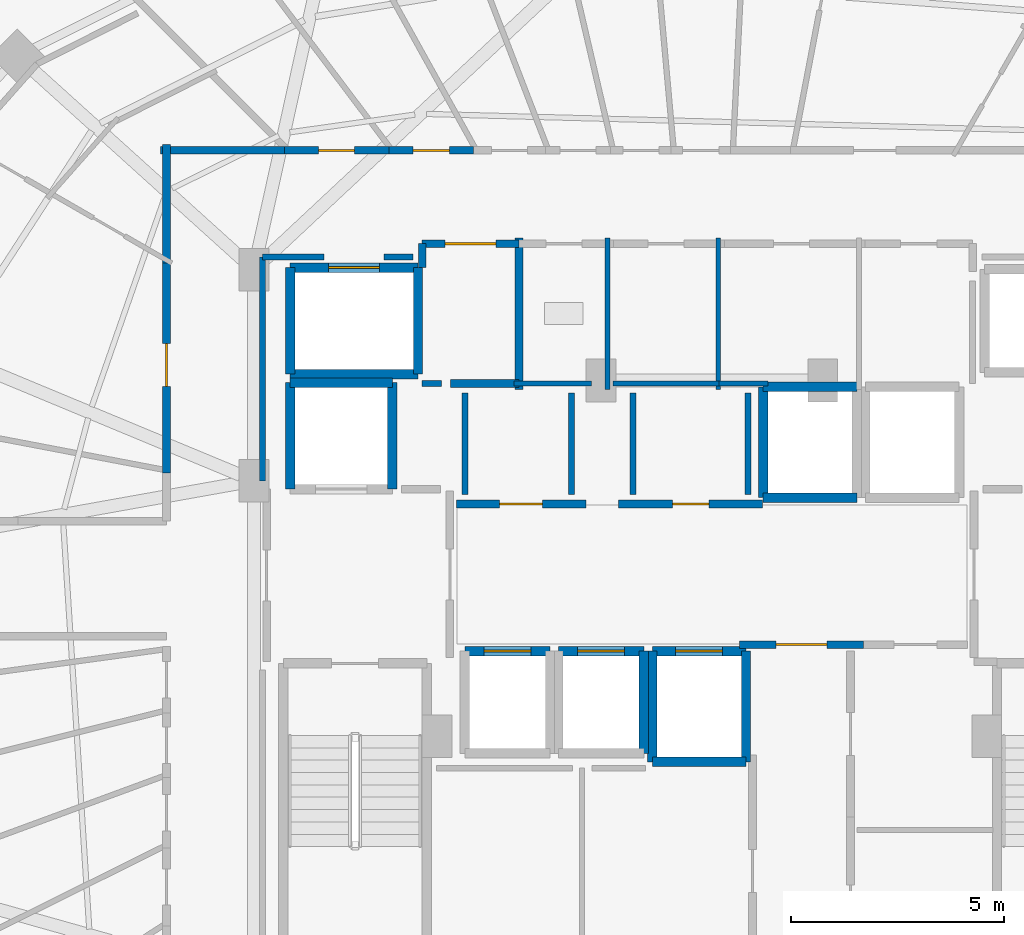
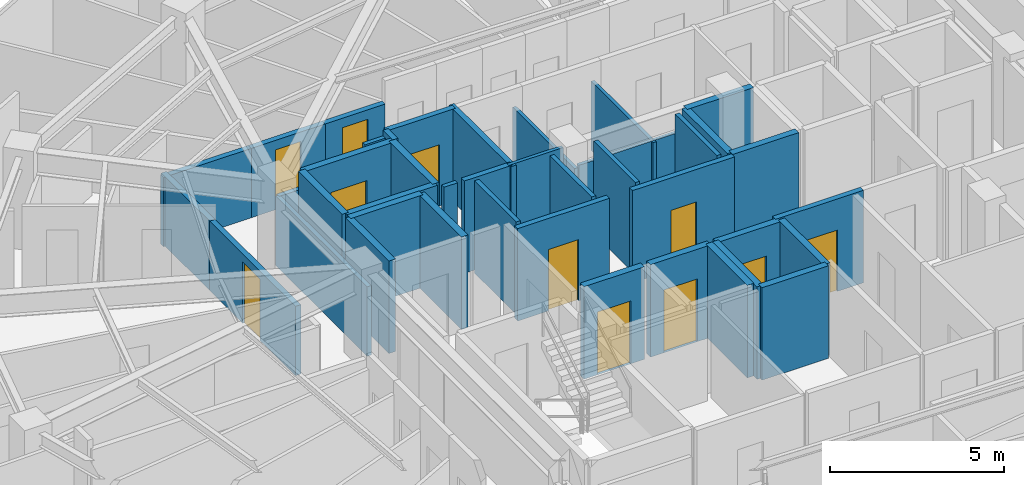
# One storey, part 26 of 33: 42 walls, 11 doors, 11 openings.
"""IFC4 building model written with IfcOpenShell, lengths in metres."""

from ifc_helpers import new_model, si_unit, direction, frame, frame_2d, origin, place, context, subcontext, project, spatial, rectangle, extrude, material, layer, layer_set, type_object, element, fill, save


model = new_model("IFC4")

# Units and contexts
model_context = context("Model", 3, precision=1e-05, world=origin(), true_north=direction((0.0, 1.0)))
body_context = subcontext(model_context, "Body", "Model", "MODEL_VIEW")
ifc_project = project(units=[si_unit("LENGTHUNIT", "METRE"), si_unit("AREAUNIT", "SQUARE_METRE"), si_unit("VOLUMEUNIT", "CUBIC_METRE"), si_unit("PLANEANGLEUNIT", "RADIAN"), si_unit("MASSUNIT", "GRAM", prefix="KILO")], contexts=[model_context])

# Site, building, storey
site_placement = place(None, origin())
site = spatial("IfcSite", under=ifc_project, at=site_placement, CompositionType="ELEMENT")
building_placement = place(site_placement, origin())
building = spatial("IfcBuilding", under=site, at=building_placement, Name="Vorneva Point Tower", CompositionType="ELEMENT")
storey_placement = place(building_placement, frame((0.0, 0.0, 189.60009765625)))
storey = spatial("IfcBuildingStorey", under=building, at=storey_placement, Name="L51", CompositionType="ELEMENT", Elevation=189.60009765625)

# Walls
ifc_material_1 = material(Name="Concrete B60 (C50/60)", Category="concrete")
ifc_layer_1 = layer(ifc_material_1, 0.35009765625)
ifc_layer_set_1 = layer_set([ifc_layer_1], Name="Concrete B60 (C50/60)")
wall_type_1 = type_object("IfcWallType", Name="WL-CORE-350", PredefinedType="SHEAR", material=ifc_layer_set_1)
wall_1_placement = place(storey_placement, frame((30.5, 28.0, 0.0), z_axis=(0.0, 0.0, 1.0), x_axis=(0.0, 1.0, 0.0)))
element("IfcWall", 1, at=wall_1_placement, inside=storey, type_object=wall_type_1, Name="L51 Lift FFL1 Shaft Wall +X", PredefinedType="SHEAR", context=body_context, shape_type="SweptSolid", body=[
    extrude(rectangle(XDim=2.5, YDim=0.219970703125, at=frame_2d((1.25, 0.0))), origin(), (0.0, 0.0, 1.0), 3.239990234375),
])
wall_2_placement = place(storey_placement, frame((30.5, 30.5, 0.0), z_axis=(0.0, 0.0, 1.0), x_axis=(-1.0, 0.0, 0.0)))
element("IfcWall", 2, at=wall_2_placement, inside=storey, type_object=wall_type_1, Name="L51 Lift FFL1 Shaft Wall +Y", PredefinedType="SHEAR", context=body_context, shape_type="SweptSolid", body=[
    extrude(rectangle(XDim=2.39990234375, YDim=0.219970703125, at=frame_2d((1.199951171875, 0.0))), origin(), (0.0, 0.0, 1.0), 3.239990234375),
])
wall_3_placement = place(storey_placement, frame((28.10009765625, 30.5, 0.0), z_axis=(0.0, 0.0, 1.0), x_axis=(0.0, -1.0, 0.0)))
element("IfcWall", 3, at=wall_3_placement, inside=storey, type_object=wall_type_1, Name="L51 Lift FFL1 Shaft Wall -X", PredefinedType="SHEAR", context=body_context, shape_type="SweptSolid", body=[
    extrude(rectangle(XDim=2.5, YDim=0.219970703125, at=frame_2d((1.25, 0.0))), origin(), (0.0, 0.0, 1.0), 3.239990234375),
])
ifc_material_2 = material(Name="Fire-rated acoustic gypsum stud partition", Category="gypsum")
ifc_layer_2 = layer(ifc_material_2, 0.110107421875)
ifc_layer_set_2 = layer_set([ifc_layer_2], Name="Fire-rated acoustic gypsum stud partition")
wall_type_2 = type_object("IfcWallType", Name="WL-PART-110", PredefinedType="PARTITIONING", material=ifc_layer_set_2)
wall_4_placement = place(storey_placement, frame((35.550048828125, 30.340087890625, 0.0), z_axis=(0.0, 0.0, 1.0), x_axis=(0.0, 1.0, 0.0)))
element("IfcWall", 4, at=wall_4_placement, inside=storey, type_object=wall_type_2, Name="L51 Interior Partition 020", PredefinedType="PARTITIONING", context=body_context, shape_type="SweptSolid", body=[
    extrude(rectangle(XDim=3.559814453125, YDim=0.110107421875, at=frame_2d((1.77978515625, 0.0))), origin(), (0.0, 0.0, 1.0), 2.431884765625),
])
wall_5_placement = place(storey_placement, frame((33.360107421875, 30.47998046875, 0.0), z_axis=(0.0, 0.0, 1.0), x_axis=(1.0, 0.0, 0.0)))
element("IfcWall", 5, at=wall_5_placement, inside=storey, type_object=wall_type_2, Name="L51 Interior Partition 021", PredefinedType="PARTITIONING", context=body_context, shape_type="SweptSolid", body=[
    extrude(rectangle(XDim=1.809814453125, YDim=0.110107421875, at=frame_2d((0.90478515625, 0.0))), origin(), (0.0, 0.0, 1.0), 3.239990234375),
])
wall_6_placement = place(storey_placement, frame((38.14990234375, 30.340087890625, 0.0), z_axis=(0.0, 0.0, 1.0), x_axis=(0.0, 1.0, 0.0)))
element("IfcWall", 6, at=wall_6_placement, inside=storey, type_object=wall_type_2, Name="L51 Interior Partition 023", PredefinedType="PARTITIONING", context=body_context, shape_type="SweptSolid", body=[
    extrude(rectangle(XDim=3.559814453125, YDim=0.110107421875, at=frame_2d((1.77978515625, 0.0))), origin(), (0.0, 0.0, 1.0), 2.431884765625),
])
wall_7_placement = place(storey_placement, frame((35.679931640625, 30.47998046875, 0.0), z_axis=(0.0, 0.0, 1.0), x_axis=(1.0, 0.0, 0.0)))
element("IfcWall", 7, at=wall_7_placement, inside=storey, type_object=wall_type_2, Name="L51 Interior Partition 024", PredefinedType="PARTITIONING", context=body_context, shape_type="SweptSolid", body=[
    extrude(rectangle(XDim=2.594970703125, YDim=0.110107421875, at=frame_2d((1.29736328125, 0.0))), origin(), (0.0, 0.0, 1.0), 2.431884765625),
])
wall_8_placement = place(storey_placement, frame((38.1650390625, 30.47998046875, 0.0), z_axis=(0.0, 0.0, 1.0), x_axis=(1.0, 0.0, 0.0)))
element("IfcWall", 8, at=wall_8_placement, inside=storey, type_object=wall_type_2, Name="L51 Interior Partition 027", PredefinedType="PARTITIONING", context=body_context, shape_type="SweptSolid", body=[
    extrude(rectangle(XDim=1.155029296875, YDim=0.110107421875, at=frame_2d((0.57763671875, 0.0))), origin(), (0.0, 0.0, 1.0), 2.431884765625),
])
ifc_layer_3 = layer(ifc_material_2, 0.139892578125)
ifc_layer_set_3 = layer_set([ifc_layer_3], Name="Fire-rated acoustic gypsum stud partition")
wall_type_3 = type_object("IfcWallType", Name="WL-PART-140", PredefinedType="PARTITIONING", material=ifc_layer_set_3)
wall_9_placement = place(storey_placement, frame((31.199951171875, 30.47998046875, 0.0), z_axis=(0.0, 0.0, 1.0), x_axis=(1.0, 0.0, 0.0)))
element("IfcWall", 9, at=wall_9_placement, inside=storey, type_object=wall_type_3, Name="L51 Interior Closure Partition 135", PredefinedType="PARTITIONING", context=body_context, shape_type="SweptSolid", body=[
    extrude(rectangle(XDim=0.449951171875, YDim=0.139892578125, at=frame_2d((0.22509765625, 0.0))), origin(), (0.0, 0.0, 1.0), 3.239990234375),
])
for number, where, z_axis, x_axis, name in (
    (10, (32.199951171875, 30.260009765625, 0.0), (0.0, 0.0, 1.0), (0.0, -1.0, 0.0), "L51 Interior Closure Partition 139"),
    (11, (34.699951171875, 27.8701171875, 0.0), (0.0, 0.0, 1.0), (0.0, 1.0, 0.0), "L51 Interior Closure Partition 140"),
    (12, (36.14990234375, 30.260009765625, 0.0), (0.0, 0.0, 1.0), (0.0, -1.0, 0.0), "L51 Interior Closure Partition 141"),
    (13, (38.85009765625, 27.8701171875, 0.0), (0.0, 0.0, 1.0), (0.0, 1.0, 0.0), "L51 Interior Closure Partition 142"),
):
    element("IfcWall", number, at=place(storey_placement, frame(where, z_axis=z_axis, x_axis=x_axis)), inside=storey, type_object=wall_type_3, Name=name, PredefinedType="PARTITIONING", context=body_context, shape_type="SweptSolid", body=[
        extrude(rectangle(XDim=2.389892578125, YDim=0.139892578125, at=frame_2d((1.19482421875, 0.0))), origin(), (0.0, 0.0, 1.0), 3.239990234375),
    ])
wall_10_placement = place(storey_placement, frame((30.97998046875, 33.449951171875, 0.0), z_axis=(0.0, 0.0, 1.0), x_axis=(-1.0, 0.0, 0.0)))
element("IfcWall", 14, at=wall_10_placement, inside=storey, type_object=wall_type_3, Name="L51 Interior Closure Partition 145", PredefinedType="PARTITIONING", context=body_context, shape_type="SweptSolid", body=[
    extrude(rectangle(XDim=0.674072265625, YDim=0.139892578125, at=frame_2d((0.3369140625, 0.0))), origin(), (0.0, 0.0, 1.0), 3.239990234375),
])
wall_11_placement = place(storey_placement, frame((28.89404296875, 33.449951171875, 0.0), z_axis=(0.0, 0.0, 1.0), x_axis=(-1.0, 0.0, 0.0)))
element("IfcWall", 15, at=wall_11_placement, inside=storey, type_object=wall_type_3, Name="L51 Interior Closure Partition 146", PredefinedType="PARTITIONING", context=body_context, shape_type="SweptSolid", body=[
    extrude(rectangle(XDim=1.444091796875, YDim=0.139892578125, at=frame_2d((0.72216796875, 0.0))), origin(), (0.0, 0.0, 1.0), 2.431884765625),
])
wall_12_placement = place(storey_placement, frame((27.449951171875, 33.449951171875, 0.0), z_axis=(0.0, 0.0, 1.0), x_axis=(0.0, -1.0, 0.0)))
element("IfcWall", 16, at=wall_12_placement, inside=storey, type_object=wall_type_3, Name="L51 Interior Closure Partition 147", PredefinedType="PARTITIONING", context=body_context, shape_type="SweptSolid", body=[
    extrude(rectangle(XDim=5.25390625, YDim=0.139892578125, at=frame_2d((2.626953125, 0.0))), origin(), (0.0, 0.0, 1.0), 2.431884765625),
])
ifc_material_3 = material(Name="Autoclaved aerated concrete blockwork", Category="masonry")
ifc_layer_4 = layer(ifc_material_3, 0.179931640625)
ifc_layer_set_4 = layer_set([ifc_layer_4], Name="Autoclaved aerated concrete blockwork")
wall_type_4 = type_object("IfcWallType", Name="WL-PART-180", PredefinedType="PARTITIONING", material=ifc_layer_set_4)
wall_13_placement = place(storey_placement, frame((33.469970703125, 30.340087890625, 0.0), z_axis=(0.0, 0.0, 1.0), x_axis=(0.0, 1.0, 0.0)))
element("IfcWall", 17, at=wall_13_placement, inside=storey, type_object=wall_type_4, Name="L51 Interior Partition 006", PredefinedType="PARTITIONING", context=body_context, shape_type="SweptSolid", body=[
    extrude(rectangle(XDim=3.559814453125, YDim=0.179931640625, at=frame_2d((1.77978515625, 0.0))), origin(), (0.0, 0.0, 1.0), 3.239990234375),
])
wall_14_placement = place(storey_placement, frame((31.8701171875, 30.47998046875, 0.0), z_axis=(0.0, 0.0, 1.0), x_axis=(1.0, 0.0, 0.0)))
element("IfcWall", 18, at=wall_14_placement, inside=storey, type_object=wall_type_4, Name="L51 Interior Partition 007", PredefinedType="PARTITIONING", context=body_context, shape_type="SweptSolid", body=[
    extrude(rectangle(XDim=1.599853515625, YDim=0.179931640625, at=frame_2d((0.7998046875, 0.0))), origin(), (0.0, 0.0, 1.0), 3.239990234375),
])

# Wall, opening, door
wall_15_placement = place(storey_placement, frame((33.469970703125, 33.760009765625, 0.0), z_axis=(0.0, 0.0, 1.0), x_axis=(-1.0, 0.0, 0.0)))
wall_15 = element("IfcWall", 19, at=wall_15_placement, inside=storey, type_object=wall_type_4, Name="L51 Interior Partition 008", PredefinedType="PARTITIONING", context=body_context, shape_type="SweptSolid", body=[
    extrude(rectangle(XDim=2.27001953125, YDim=0.179931640625, at=frame_2d((1.135009765625, 0.0))), origin(), (0.0, 0.0, 1.0), 3.239990234375),
])
opening_1_placement = place(wall_15_placement, frame((0.534912109375, 0.0, 0.0)))
opening_1 = element("IfcOpeningElement", 20, at=opening_1_placement, cuts=wall_15, Name="Opening FD-02", PredefinedType="OPENING", context=body_context, shape_type="SweptSolid", body=[
    extrude(rectangle(XDim=1.199951171875, YDim=2.14990234375, at=frame_2d((0.60009765625, 1.074951171875))), frame((0.0, 0.10498046875, 0.0), z_axis=(0.0, -1.0, 0.0), x_axis=(1.0, 0.0, 0.0)), (0.0, 0.0, 1.0), 0.209716796875),
])
ifc_material_4 = material(Name="Fire-rated powder-coated steel", Category="steel")
door_type_1 = type_object("IfcDoorType", Name="DR-FFL-1200", OperationType="NOTDEFINED", PredefinedType="DOOR", material=ifc_material_4)
door_1_placement = place(opening_1_placement, origin())
door_1 = element("IfcDoor", 21, at=door_1_placement, inside=storey, type_object=door_type_1, Name="L51 Door Service Lift Lobby / L51 Circulation Corridor", OperationType="SINGLE_SWING_RIGHT", OverallHeight=2.14990234375, OverallWidth=1.199951171875, PredefinedType="DOOR", context=body_context, shape_type="SweptSolid", body=[
    extrude(rectangle(XDim=1.199951171875, YDim=2.14990234375, at=frame_2d((0.60009765625, 1.074951171875))), frame((0.0, 0.02490234375, 0.0), z_axis=(0.0, -1.0, 0.0), x_axis=(1.0, 0.0, 0.0)), (0.0, 0.0, 1.0), 0.050048828125),
])
fill(opening_1, door_1)

# Wall
wall_16_placement = place(storey_placement, frame((31.199951171875, 33.760009765625, 0.0), z_axis=(0.0, 0.0, 1.0), x_axis=(0.0, -1.0, 0.0)))
element("IfcWall", 22, at=wall_16_placement, inside=storey, type_object=wall_type_4, Name="L51 Interior Partition 009", PredefinedType="PARTITIONING", context=body_context, shape_type="SweptSolid", body=[
    extrude(rectangle(XDim=0.56005859375, YDim=0.179931640625, at=frame_2d((0.280029296875, 0.0))), origin(), (0.0, 0.0, 1.0), 3.239990234375),
])

# Wall, opening, door
wall_17_placement = place(storey_placement, frame((38.64501953125, 24.35009765625, 0.0), z_axis=(0.0, 0.0, 1.0), x_axis=(1.0, 0.0, 0.0)))
wall_17 = element("IfcWall", 23, at=wall_17_placement, inside=storey, type_object=wall_type_4, Name="L51 Interior Partition 010", PredefinedType="PARTITIONING", context=body_context, shape_type="SweptSolid", body=[
    extrude(rectangle(XDim=2.909912109375, YDim=0.179931640625, at=frame_2d((1.455078125, 0.0))), origin(), (0.0, 0.0, 1.0), 3.239990234375),
])
opening_2_placement = place(wall_17_placement, frame((0.85498046875, 0.0, 0.0)))
opening_2 = element("IfcOpeningElement", 24, at=opening_2_placement, cuts=wall_17, Name="Opening FD-02", PredefinedType="OPENING", context=body_context, shape_type="SweptSolid", body=[
    extrude(rectangle(XDim=1.199951171875, YDim=2.14990234375, at=frame_2d((0.60009765625, 1.074951171875))), frame((0.0, 0.10498046875, 0.0), z_axis=(0.0, -1.0, 0.0), x_axis=(1.0, 0.0, 0.0)), (0.0, 0.0, 1.0), 0.209716796875),
])
door_2_placement = place(opening_2_placement, origin())
door_2 = element("IfcDoor", 25, at=door_2_placement, inside=storey, type_object=door_type_1, Name="L51 Door Central Lift Lobby / Core Service Lobby", OperationType="SINGLE_SWING_LEFT", OverallHeight=2.14990234375, OverallWidth=1.199951171875, PredefinedType="DOOR", context=body_context, shape_type="SweptSolid", body=[
    extrude(rectangle(XDim=1.199951171875, YDim=2.14990234375, at=frame_2d((0.60009765625, 1.074951171875))), frame((0.0, 0.02490234375, 0.0), z_axis=(0.0, -1.0, 0.0), x_axis=(1.0, 0.0, 0.0)), (0.0, 0.0, 1.0), 0.050048828125),
])
fill(opening_2, door_2)

wall_18_placement = place(storey_placement, frame((35.0400390625, 27.64990234375, 0.0), z_axis=(0.0, 0.0, 1.0), x_axis=(-1.0, 0.0, 0.0)))
wall_18 = element("IfcWall", 26, at=wall_18_placement, inside=storey, type_object=wall_type_4, Name="L51 Interior Partition 012", PredefinedType="PARTITIONING", context=body_context, shape_type="SweptSolid", body=[
    extrude(rectangle(XDim=3.0400390625, YDim=0.179931640625, at=frame_2d((1.52001953125, 0.0))), origin(), (0.0, 0.0, 1.0), 3.239990234375),
])
opening_3_placement = place(wall_18_placement, frame((1.02001953125, 0.0, 0.0)))
opening_3 = element("IfcOpeningElement", 27, at=opening_3_placement, cuts=wall_18, Name="Opening UD-01", PredefinedType="OPENING", context=body_context, shape_type="SweptSolid", body=[
    extrude(rectangle(XDim=1.0, YDim=2.14990234375, at=frame_2d((0.5, 1.074951171875))), frame((0.0, 0.10498046875, 0.0), z_axis=(0.0, -1.0, 0.0), x_axis=(1.0, 0.0, 0.0)), (0.0, 0.0, 1.0), 0.209716796875),
])
ifc_material_5 = material(Name="Engineered oak fire-rated door leaf", Category="wood")
door_type_2 = type_object("IfcDoorType", Name="DR-UNIT-1000", OperationType="NOTDEFINED", PredefinedType="DOOR", material=ifc_material_5)
door_3_placement = place(opening_3_placement, origin())
door_3 = element("IfcDoor", 28, at=door_3_placement, inside=storey, type_object=door_type_2, Name="L51 Door Central Lift Lobby / Reclaimed Core Lounge", OperationType="SINGLE_SWING_LEFT", OverallHeight=2.14990234375, OverallWidth=1.0, PredefinedType="DOOR", context=body_context, shape_type="SweptSolid", body=[
    extrude(rectangle(XDim=1.0, YDim=2.14990234375, at=frame_2d((0.5, 1.074951171875))), frame((0.0, 0.02490234375, 0.0), z_axis=(0.0, -1.0, 0.0), x_axis=(1.0, 0.0, 0.0)), (0.0, 0.0, 1.0), 0.050048828125),
])
fill(opening_3, door_3)

wall_19_placement = place(storey_placement, frame((39.18994140625, 27.64990234375, 0.0), z_axis=(0.0, 0.0, 1.0), x_axis=(-1.0, 0.0, 0.0)))
wall_19 = element("IfcWall", 29, at=wall_19_placement, inside=storey, type_object=wall_type_4, Name="L51 Interior Partition 013", PredefinedType="PARTITIONING", context=body_context, shape_type="SweptSolid", body=[
    extrude(rectangle(XDim=3.3798828125, YDim=0.179931640625, at=frame_2d((1.68994140625, 0.0))), origin(), (0.0, 0.0, 1.0), 3.239990234375),
])
opening_4_placement = place(wall_19_placement, frame((1.264892578125, 0.0, 0.0)))
opening_4 = element("IfcOpeningElement", 30, at=opening_4_placement, cuts=wall_19, Name="Opening ID-02", PredefinedType="OPENING", context=body_context, shape_type="SweptSolid", body=[
    extrude(rectangle(XDim=0.85009765625, YDim=2.10009765625, at=frame_2d((0.425048828125, 1.050048828125))), frame((0.0, 0.10498046875, 0.0), z_axis=(0.0, -1.0, 0.0), x_axis=(1.0, 0.0, 0.0)), (0.0, 0.0, 1.0), 0.209716796875),
])
door_type_3 = type_object("IfcDoorType", Name="DR-BATH-850", OperationType="NOTDEFINED", PredefinedType="DOOR", material=ifc_material_5)
door_4_placement = place(opening_4_placement, origin())
door_4 = element("IfcDoor", 31, at=door_4_placement, inside=storey, type_object=door_type_3, Name="L51 Door Central Lift Lobby / Reclaimed Core Archive Store", OperationType="SINGLE_SWING_RIGHT", OverallHeight=2.10009765625, OverallWidth=0.85009765625, PredefinedType="DOOR", context=body_context, shape_type="SweptSolid", body=[
    extrude(rectangle(XDim=0.85009765625, YDim=2.10009765625, at=frame_2d((0.425048828125, 1.050048828125))), frame((0.0, 0.02490234375, 0.0), z_axis=(0.0, -1.0, 0.0), x_axis=(1.0, 0.0, 0.0)), (0.0, 0.0, 1.0), 0.050048828125),
])
fill(opening_4, door_4)

wall_20_placement = place(storey_placement, frame((32.403076171875, 35.949951171875, 0.0), z_axis=(0.0, 0.0, 1.0), x_axis=(-1.0, 0.0, 0.0)))
wall_20 = element("IfcWall", 32, at=wall_20_placement, inside=storey, type_object=wall_type_4, Name="L51 Interior Partition 041", PredefinedType="PARTITIONING", context=body_context, shape_type="SweptSolid", body=[
    extrude(rectangle(XDim=1.984130859375, YDim=0.179931640625, at=frame_2d((0.9921875, 0.0))), origin(), (0.0, 0.0, 1.0), 2.431884765625),
])
opening_5_placement = place(wall_20_placement, frame((0.56689453125, 0.0, 0.0)))
opening_5 = element("IfcOpeningElement", 33, at=opening_5_placement, cuts=wall_20, Name="Opening ID-02", PredefinedType="OPENING", context=body_context, shape_type="SweptSolid", body=[
    extrude(rectangle(XDim=0.85009765625, YDim=2.10009765625, at=frame_2d((0.425048828125, 1.050048828125))), frame((0.0, 0.10498046875, 0.0), z_axis=(0.0, -1.0, 0.0), x_axis=(1.0, 0.0, 0.0)), (0.0, 0.0, 1.0), 0.209716796875),
])
door_5_placement = place(opening_5_placement, origin())
door_5 = element("IfcDoor", 34, at=door_5_placement, inside=storey, type_object=door_type_3, Name="L51 Access Door L51 Circulation Corridor", OperationType="SINGLE_SWING_RIGHT", OverallHeight=2.10009765625, OverallWidth=0.85009765625, PredefinedType="DOOR", context=body_context, shape_type="SweptSolid", body=[
    extrude(rectangle(XDim=0.85009765625, YDim=2.10009765625, at=frame_2d((0.425048828125, 1.050048828125))), frame((0.0, 0.02490234375, 0.0), z_axis=(0.0, -1.0, 0.0), x_axis=(1.0, 0.0, 0.0)), (0.0, 0.0, 1.0), 0.050048828125),
])
fill(opening_5, door_5)

wall_21_placement = place(storey_placement, frame((30.4189453125, 35.949951171875, 0.0), z_axis=(0.0, 0.0, 1.0), x_axis=(-1.0, 0.0, 0.0)))
wall_21 = element("IfcWall", 35, at=wall_21_placement, inside=storey, type_object=wall_type_4, Name="L51 Interior Partition 042", PredefinedType="PARTITIONING", context=body_context, shape_type="SweptSolid", body=[
    extrude(rectangle(XDim=2.453857421875, YDim=0.179931640625, at=frame_2d((1.22705078125, 0.0))), origin(), (0.0, 0.0, 1.0), 2.431884765625),
])
opening_6_placement = place(wall_21_placement, frame((0.802001953125, 0.0, 0.0)))
opening_6 = element("IfcOpeningElement", 36, at=opening_6_placement, cuts=wall_21, Name="Opening ID-02", PredefinedType="OPENING", context=body_context, shape_type="SweptSolid", body=[
    extrude(rectangle(XDim=0.85009765625, YDim=2.10009765625, at=frame_2d((0.425048828125, 1.050048828125))), frame((0.0, 0.10498046875, 0.0), z_axis=(0.0, -1.0, 0.0), x_axis=(1.0, 0.0, 0.0)), (0.0, 0.0, 1.0), 0.209716796875),
])
door_6_placement = place(opening_6_placement, origin())
door_6 = element("IfcDoor", 37, at=door_6_placement, inside=storey, type_object=door_type_3, Name="L51 Access Door L51 Circulation Corridor", OperationType="SINGLE_SWING_LEFT", OverallHeight=2.10009765625, OverallWidth=0.85009765625, PredefinedType="DOOR", context=body_context, shape_type="SweptSolid", body=[
    extrude(rectangle(XDim=0.85009765625, YDim=2.10009765625, at=frame_2d((0.425048828125, 1.050048828125))), frame((0.0, 0.02490234375, 0.0), z_axis=(0.0, -1.0, 0.0), x_axis=(1.0, 0.0, 0.0)), (0.0, 0.0, 1.0), 0.050048828125),
])
fill(opening_6, door_6)

wall_22_placement = place(storey_placement, frame((25.199951171875, 33.445068359375, 0.0), z_axis=(0.0, 0.0, 1.0), x_axis=(0.0, -1.0, 0.0)))
wall_22 = element("IfcWall", 38, at=wall_22_placement, inside=storey, type_object=wall_type_4, Name="L51 Interior Partition 043", PredefinedType="PARTITIONING", context=body_context, shape_type="SweptSolid", body=[
    extrude(rectangle(XDim=5.06298828125, YDim=0.179931640625, at=frame_2d((2.531494140625, 0.0))), origin(), (0.0, 0.0, 1.0), 2.431884765625),
])
opening_7_placement = place(wall_22_placement, frame((2.031494140625, 0.0, 0.0)))
opening_7 = element("IfcOpeningElement", 39, at=opening_7_placement, cuts=wall_22, Name="Opening UD-01", PredefinedType="OPENING", context=body_context, shape_type="SweptSolid", body=[
    extrude(rectangle(XDim=1.0, YDim=2.14990234375, at=frame_2d((0.5, 1.074951171875))), frame((0.0, 0.10498046875, 0.0), z_axis=(0.0, -1.0, 0.0), x_axis=(1.0, 0.0, 0.0)), (0.0, 0.0, 1.0), 0.209716796875),
])
door_7_placement = place(opening_7_placement, origin())
door_7 = element("IfcDoor", 40, at=door_7_placement, inside=storey, type_object=door_type_2, Name="L51 Door L51 Circulation Corridor / Living and Dining Room L51-02", OperationType="SINGLE_SWING_LEFT", OverallHeight=2.14990234375, OverallWidth=1.0, PredefinedType="DOOR", context=body_context, shape_type="SweptSolid", body=[
    extrude(rectangle(XDim=1.0, YDim=2.14990234375, at=frame_2d((0.5, 1.074951171875))), frame((0.0, 0.02490234375, 0.0), z_axis=(0.0, -1.0, 0.0), x_axis=(1.0, 0.0, 0.0)), (0.0, 0.0, 1.0), 0.050048828125),
])
fill(opening_7, door_7)

# Walls
wall_23_placement = place(storey_placement, frame((28.10498046875, 35.949951171875, 0.0), z_axis=(0.0, 0.0, 1.0), x_axis=(-1.0, 0.0, 0.0)))
element("IfcWall", 41, at=wall_23_placement, inside=storey, type_object=wall_type_4, Name="L51 Interior Partition 044", PredefinedType="PARTITIONING", context=body_context, shape_type="SweptSolid", body=[
    extrude(rectangle(XDim=3.044921875, YDim=0.179931640625, at=frame_2d((1.5224609375, 0.0))), origin(), (0.0, 0.0, 1.0), 2.431884765625),
])
wall_24_placement = place(storey_placement, frame((25.199951171875, 36.090087890625, 0.0), z_axis=(0.0, 0.0, 1.0), x_axis=(0.0, -1.0, 0.0)))
element("IfcWall", 42, at=wall_24_placement, inside=storey, type_object=wall_type_4, Name="L51 Interior Partition 045", PredefinedType="PARTITIONING", context=body_context, shape_type="SweptSolid", body=[
    extrude(rectangle(XDim=2.78515625, YDim=0.179931640625, at=frame_2d((1.392578125, 0.0))), origin(), (0.0, 0.0, 1.0), 2.431884765625),
])

# Wall, opening, door
ifc_material_6 = material(Name="Concrete B50 (C40/50)", Category="concrete")
ifc_layer_5 = layer(ifc_material_6, 0.219970703125)
ifc_layer_set_5 = layer_set([ifc_layer_5], Name="Concrete B50 (C40/50)")
wall_type_5 = type_object("IfcWallType", Name="WL-SHFT-220", PredefinedType="SOLIDWALL", material=ifc_layer_set_5)
wall_25_placement = place(storey_placement, frame((34.199951171875, 24.199951171875, 0.0), z_axis=(0.0, 0.0, 1.0), x_axis=(-1.0, 0.0, 0.0)))
wall_25 = element("IfcWall", 43, at=wall_25_placement, inside=storey, type_object=wall_type_5, Name="L51 Lift PL4 Shaft Wall +Y", PredefinedType="SOLIDWALL", context=body_context, shape_type="SweptSolid", body=[
    extrude(rectangle(XDim=2.0, YDim=0.219970703125, at=frame_2d((1.0, 0.0))), origin(), (0.0, 0.0, 1.0), 3.239990234375),
])
opening_8_placement = place(wall_25_placement, frame((0.449951171875, 0.0, 0.0)))
opening_8 = element("IfcOpeningElement", 44, at=opening_8_placement, cuts=wall_25, Name="Opening LD-01", PredefinedType="OPENING", context=body_context, shape_type="SweptSolid", body=[
    extrude(rectangle(XDim=1.10009765625, YDim=2.199951171875, at=frame_2d((0.550048828125, 1.10009765625))), frame((0.0, 0.125, 0.0), z_axis=(0.0, -1.0, 0.0), x_axis=(1.0, 0.0, 0.0)), (0.0, 0.0, 1.0), 0.249755859375),
])
ifc_material_7 = material(Name="Brushed stainless steel S304", Category="steel")
door_type_4 = type_object("IfcDoorType", Name="LD-PASS-1100", OperationType="SLIDING_TO_LEFT", PredefinedType="DOOR", material=ifc_material_7)
door_8_placement = place(opening_8_placement, origin())
door_8 = element("IfcDoor", 45, at=door_8_placement, inside=storey, type_object=door_type_4, Name="L51 Lift PL4 Sliding Landing Door", OperationType="SLIDING_TO_LEFT", OverallHeight=2.199951171875, OverallWidth=1.10009765625, PredefinedType="DOOR", context=body_context, shape_type="SweptSolid", body=[
    extrude(rectangle(XDim=1.10009765625, YDim=2.199951171875, at=frame_2d((0.550048828125, 1.10009765625))), frame((0.0, 0.02490234375, 0.0), z_axis=(0.0, -1.0, 0.0), x_axis=(1.0, 0.0, 0.0)), (0.0, 0.0, 1.0), 0.050048828125),
])
fill(opening_8, door_8)

# Wall
wall_26_placement = place(storey_placement, frame((36.39990234375, 21.800048828125, 0.0), z_axis=(0.0, 0.0, 1.0), x_axis=(0.0, 1.0, 0.0)))
element("IfcWall", 46, at=wall_26_placement, inside=storey, type_object=wall_type_5, Name="L51 Lift PL5 Shaft Wall +X", PredefinedType="SOLIDWALL", context=body_context, shape_type="SweptSolid", body=[
    extrude(rectangle(XDim=2.39990234375, YDim=0.219970703125, at=frame_2d((1.199951171875, 0.0))), origin(), (0.0, 0.0, 1.0), 3.239990234375),
])

# Wall, opening, door
wall_27_placement = place(storey_placement, frame((36.39990234375, 24.199951171875, 0.0), z_axis=(0.0, 0.0, 1.0), x_axis=(-1.0, 0.0, 0.0)))
wall_27 = element("IfcWall", 47, at=wall_27_placement, inside=storey, type_object=wall_type_5, Name="L51 Lift PL5 Shaft Wall +Y", PredefinedType="SOLIDWALL", context=body_context, shape_type="SweptSolid", body=[
    extrude(rectangle(XDim=2.0, YDim=0.219970703125, at=frame_2d((1.0, 0.0))), origin(), (0.0, 0.0, 1.0), 3.239990234375),
])
opening_9_placement = place(wall_27_placement, frame((0.449951171875, 0.0, 0.0)))
opening_9 = element("IfcOpeningElement", 48, at=opening_9_placement, cuts=wall_27, Name="Opening LD-01", PredefinedType="OPENING", context=body_context, shape_type="SweptSolid", body=[
    extrude(rectangle(XDim=1.10009765625, YDim=2.199951171875, at=frame_2d((0.550048828125, 1.10009765625))), frame((0.0, 0.125, 0.0), z_axis=(0.0, -1.0, 0.0), x_axis=(1.0, 0.0, 0.0)), (0.0, 0.0, 1.0), 0.249755859375),
])
door_9_placement = place(opening_9_placement, origin())
door_9 = element("IfcDoor", 49, at=door_9_placement, inside=storey, type_object=door_type_4, Name="L51 Lift PL5 Sliding Landing Door", OperationType="SLIDING_TO_LEFT", OverallHeight=2.199951171875, OverallWidth=1.10009765625, PredefinedType="DOOR", context=body_context, shape_type="SweptSolid", body=[
    extrude(rectangle(XDim=1.10009765625, YDim=2.199951171875, at=frame_2d((0.550048828125, 1.10009765625))), frame((0.0, 0.02490234375, 0.0), z_axis=(0.0, -1.0, 0.0), x_axis=(1.0, 0.0, 0.0)), (0.0, 0.0, 1.0), 0.050048828125),
])
fill(opening_9, door_9)

# Walls
wall_28_placement = place(storey_placement, frame((36.60009765625, 21.60009765625, 0.0), z_axis=(0.0, 0.0, 1.0), x_axis=(1.0, 0.0, 0.0)))
element("IfcWall", 50, at=wall_28_placement, inside=storey, type_object=wall_type_5, Name="L51 Lift PL6 Shaft Wall -Y", PredefinedType="SOLIDWALL", context=body_context, shape_type="SweptSolid", body=[
    extrude(rectangle(XDim=2.199951171875, YDim=0.219970703125, at=frame_2d((1.10009765625, 0.0))), origin(), (0.0, 0.0, 1.0), 3.239990234375),
])
wall_29_placement = place(storey_placement, frame((38.800048828125, 21.60009765625, 0.0), z_axis=(0.0, 0.0, 1.0), x_axis=(0.0, 1.0, 0.0)))
element("IfcWall", 51, at=wall_29_placement, inside=storey, type_object=wall_type_5, Name="L51 Lift PL6 Shaft Wall +X", PredefinedType="SOLIDWALL", context=body_context, shape_type="SweptSolid", body=[
    extrude(rectangle(XDim=2.599853515625, YDim=0.219970703125, at=frame_2d((1.2998046875, 0.0))), origin(), (0.0, 0.0, 1.0), 3.239990234375),
])

# Wall, opening, door
wall_30_placement = place(storey_placement, frame((38.800048828125, 24.199951171875, 0.0), z_axis=(0.0, 0.0, 1.0), x_axis=(-1.0, 0.0, 0.0)))
wall_30 = element("IfcWall", 52, at=wall_30_placement, inside=storey, type_object=wall_type_5, Name="L51 Lift PL6 Shaft Wall +Y", PredefinedType="SOLIDWALL", context=body_context, shape_type="SweptSolid", body=[
    extrude(rectangle(XDim=2.199951171875, YDim=0.219970703125, at=frame_2d((1.10009765625, 0.0))), origin(), (0.0, 0.0, 1.0), 3.239990234375),
])
opening_10_placement = place(wall_30_placement, frame((0.550048828125, 0.0, 0.0)))
opening_10 = element("IfcOpeningElement", 53, at=opening_10_placement, cuts=wall_30, Name="Opening LD-01", PredefinedType="OPENING", context=body_context, shape_type="SweptSolid", body=[
    extrude(rectangle(XDim=1.10009765625, YDim=2.199951171875, at=frame_2d((0.550048828125, 1.10009765625))), frame((0.0, 0.125, 0.0), z_axis=(0.0, -1.0, 0.0), x_axis=(1.0, 0.0, 0.0)), (0.0, 0.0, 1.0), 0.249755859375),
])
door_10_placement = place(opening_10_placement, origin())
door_10 = element("IfcDoor", 54, at=door_10_placement, inside=storey, type_object=door_type_4, Name="L51 Lift PL6 Sliding Landing Door", OperationType="SLIDING_TO_LEFT", OverallHeight=2.199951171875, OverallWidth=1.10009765625, PredefinedType="DOOR", context=body_context, shape_type="SweptSolid", body=[
    extrude(rectangle(XDim=1.10009765625, YDim=2.199951171875, at=frame_2d((0.550048828125, 1.10009765625))), frame((0.0, 0.02490234375, 0.0), z_axis=(0.0, -1.0, 0.0), x_axis=(1.0, 0.0, 0.0)), (0.0, 0.0, 1.0), 0.050048828125),
])
fill(opening_10, door_10)

# Walls
wall_31_placement = place(storey_placement, frame((36.60009765625, 24.199951171875, 0.0), z_axis=(0.0, 0.0, 1.0), x_axis=(0.0, -1.0, 0.0)))
element("IfcWall", 55, at=wall_31_placement, inside=storey, type_object=wall_type_5, Name="L51 Lift PL6 Shaft Wall -X", PredefinedType="SOLIDWALL", context=body_context, shape_type="SweptSolid", body=[
    extrude(rectangle(XDim=2.599853515625, YDim=0.219970703125, at=frame_2d((1.2998046875, 0.0))), origin(), (0.0, 0.0, 1.0), 3.239990234375),
])
for number, where, z_axis, x_axis, name in (
    (56, (39.199951171875, 27.800048828125, 0.0), (0.0, 0.0, 1.0), (1.0, 0.0, 0.0), "L51 Lift PL7 Shaft Wall -Y"),
    (57, (41.39990234375, 30.39990234375, 0.0), (0.0, 0.0, 1.0), (-1.0, 0.0, 0.0), "L51 Lift PL7 Shaft Wall +Y"),
):
    element("IfcWall", number, at=place(storey_placement, frame(where, z_axis=z_axis, x_axis=x_axis)), inside=storey, type_object=wall_type_5, Name=name, PredefinedType="SOLIDWALL", context=body_context, shape_type="SweptSolid", body=[
        extrude(rectangle(XDim=2.199951171875, YDim=0.219970703125, at=frame_2d((1.10009765625, 0.0))), origin(), (0.0, 0.0, 1.0), 3.239990234375),
    ])
wall_32_placement = place(storey_placement, frame((39.199951171875, 30.39990234375, 0.0), z_axis=(0.0, 0.0, 1.0), x_axis=(0.0, -1.0, 0.0)))
element("IfcWall", 58, at=wall_32_placement, inside=storey, type_object=wall_type_5, Name="L51 Lift PL7 Shaft Wall -X", PredefinedType="SOLIDWALL", context=body_context, shape_type="SweptSolid", body=[
    extrude(rectangle(XDim=2.599853515625, YDim=0.219970703125, at=frame_2d((1.2998046875, 0.0))), origin(), (0.0, 0.0, 1.0), 3.239990234375),
])
wall_33_placement = place(storey_placement, frame((28.10009765625, 30.699951171875, 0.0), z_axis=(0.0, 0.0, 1.0), x_axis=(1.0, 0.0, 0.0)))
element("IfcWall", 59, at=wall_33_placement, inside=storey, type_object=wall_type_5, Name="L51 Lift SVL1 Shaft Wall -Y", PredefinedType="SOLIDWALL", context=body_context, shape_type="SweptSolid", body=[
    extrude(rectangle(XDim=3.0, YDim=0.219970703125, at=frame_2d((1.5, 0.0))), origin(), (0.0, 0.0, 1.0), 3.239990234375),
])
wall_34_placement = place(storey_placement, frame((31.10009765625, 30.699951171875, 0.0), z_axis=(0.0, 0.0, 1.0), x_axis=(0.0, 1.0, 0.0)))
element("IfcWall", 60, at=wall_34_placement, inside=storey, type_object=wall_type_5, Name="L51 Lift SVL1 Shaft Wall +X", PredefinedType="SOLIDWALL", context=body_context, shape_type="SweptSolid", body=[
    extrude(rectangle(XDim=2.5, YDim=0.219970703125, at=frame_2d((1.25, 0.0))), origin(), (0.0, 0.0, 1.0), 3.239990234375),
])

# Wall, opening, door
wall_35_placement = place(storey_placement, frame((31.10009765625, 33.199951171875, 0.0), z_axis=(0.0, 0.0, 1.0), x_axis=(-1.0, 0.0, 0.0)))
wall_35 = element("IfcWall", 61, at=wall_35_placement, inside=storey, type_object=wall_type_5, Name="L51 Lift SVL1 Shaft Wall +Y", PredefinedType="SOLIDWALL", context=body_context, shape_type="SweptSolid", body=[
    extrude(rectangle(XDim=3.0, YDim=0.219970703125, at=frame_2d((1.5, 0.0))), origin(), (0.0, 0.0, 1.0), 3.239990234375),
])
opening_11_placement = place(wall_35_placement, frame((0.89990234375, 0.0, 0.0)))
opening_11 = element("IfcOpeningElement", 62, at=opening_11_placement, cuts=wall_35, Name="Opening LD-02", PredefinedType="OPENING", context=body_context, shape_type="SweptSolid", body=[
    extrude(rectangle(XDim=1.199951171875, YDim=2.199951171875, at=frame_2d((0.60009765625, 1.10009765625))), frame((0.0, 0.125, 0.0), z_axis=(0.0, -1.0, 0.0), x_axis=(1.0, 0.0, 0.0)), (0.0, 0.0, 1.0), 0.249755859375),
])
door_type_5 = type_object("IfcDoorType", Name="LD-FIRE-1200", OperationType="SLIDING_TO_LEFT", PredefinedType="DOOR", material=ifc_material_7)
door_11_placement = place(opening_11_placement, origin())
door_11 = element("IfcDoor", 63, at=door_11_placement, inside=storey, type_object=door_type_5, Name="L51 Lift SVL1 Sliding Landing Door", OperationType="SLIDING_TO_LEFT", OverallHeight=2.199951171875, OverallWidth=1.199951171875, PredefinedType="DOOR", context=body_context, shape_type="SweptSolid", body=[
    extrude(rectangle(XDim=1.199951171875, YDim=2.199951171875, at=frame_2d((0.60009765625, 1.10009765625))), frame((0.0, 0.02490234375, 0.0), z_axis=(0.0, -1.0, 0.0), x_axis=(1.0, 0.0, 0.0)), (0.0, 0.0, 1.0), 0.050048828125),
])
fill(opening_11, door_11)

# Wall
wall_36_placement = place(storey_placement, frame((28.10009765625, 33.199951171875, 0.0), z_axis=(0.0, 0.0, 1.0), x_axis=(0.0, -1.0, 0.0)))
element("IfcWall", 64, at=wall_36_placement, inside=storey, type_object=wall_type_5, Name="L51 Lift SVL1 Shaft Wall -X", PredefinedType="SOLIDWALL", context=body_context, shape_type="SweptSolid", body=[
    extrude(rectangle(XDim=2.5, YDim=0.219970703125, at=frame_2d((1.25, 0.0))), origin(), (0.0, 0.0, 1.0), 3.239990234375),
])

save(model, "model.ifc")
